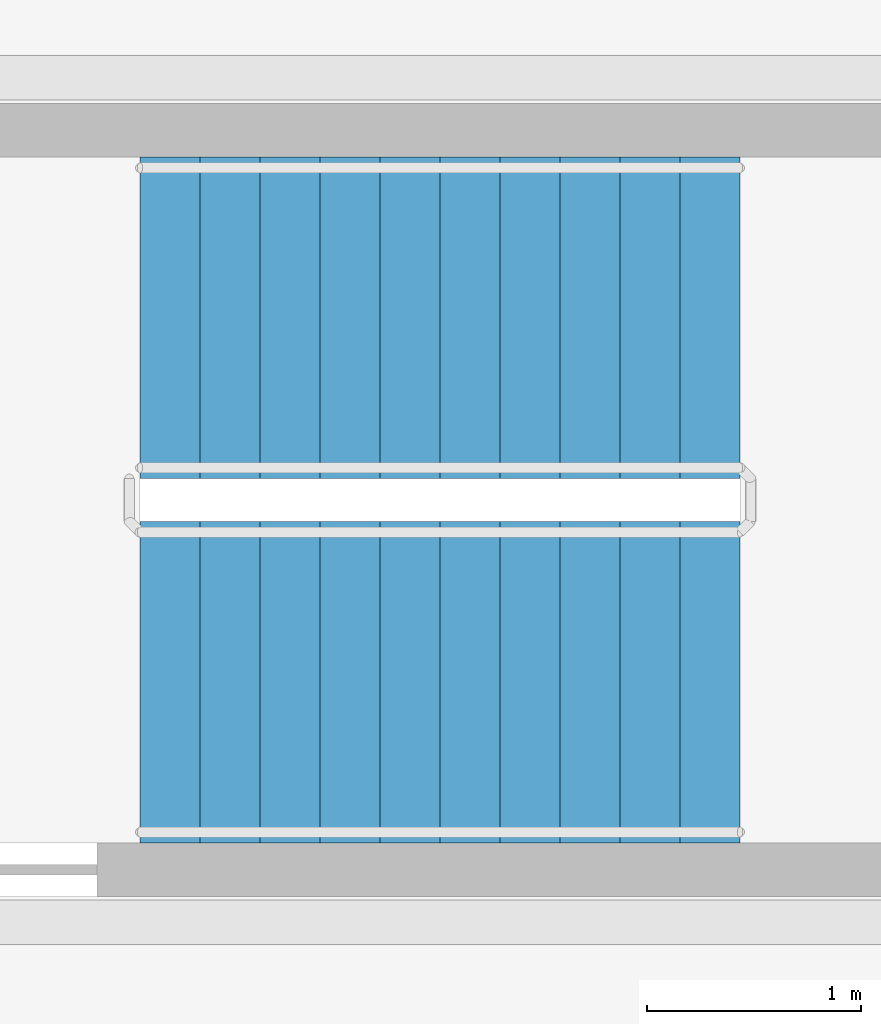
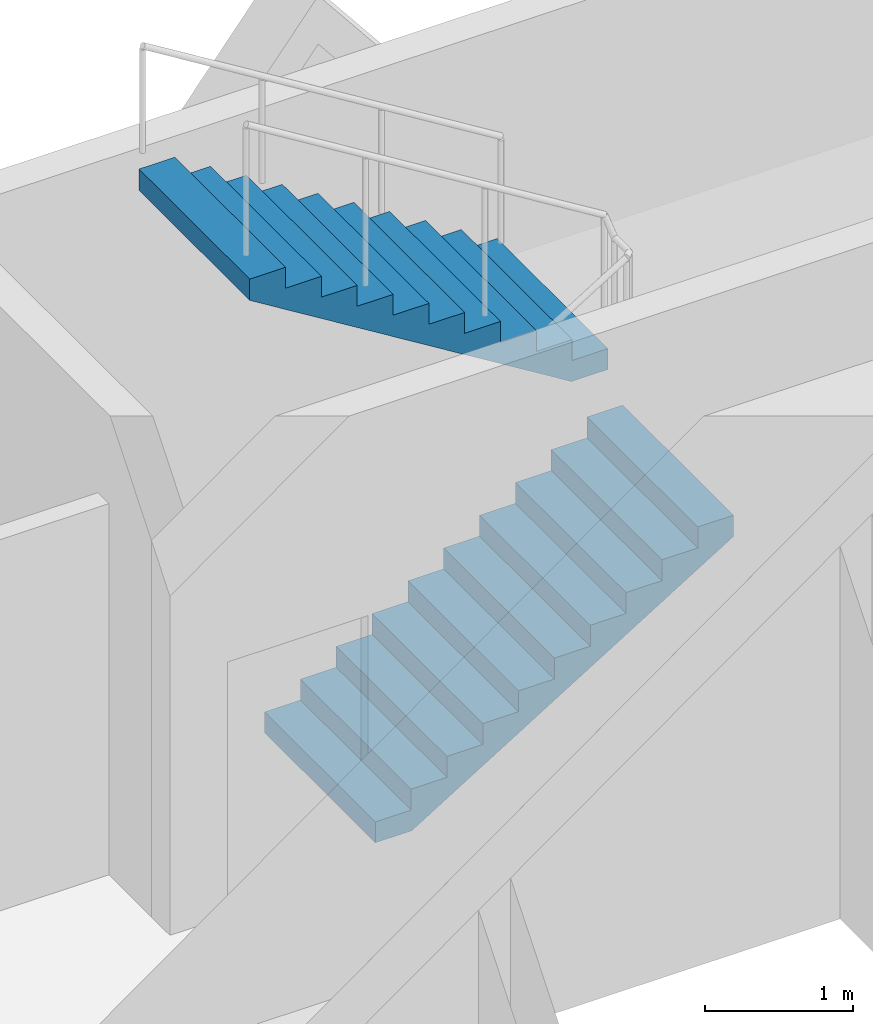
# One storey, part 17 of 19: 2 stair flights, 1 element without a shape of its own.
"""IFC4 building model written with IfcOpenShell, lengths in metres."""

from ifc_helpers import new_model, si_unit, direction, frame, origin, place, context, subcontext, project, spatial, polyline, outline, extrude, material, type_object, element, aggregate, save


model = new_model("IFC4")

# Units and contexts
model_context = context("Model", 3, precision=1e-05, world=origin(), true_north=direction((0.0, 1.0)))
body_context = subcontext(model_context, "Body", "Model", "MODEL_VIEW")
ifc_project = project(units=[si_unit("LENGTHUNIT", "METRE"), si_unit("AREAUNIT", "SQUARE_METRE"), si_unit("VOLUMEUNIT", "CUBIC_METRE"), si_unit("PLANEANGLEUNIT", "RADIAN"), si_unit("MASSUNIT", "GRAM", prefix="KILO")], contexts=[model_context])

# Site, building, storey
site_placement = place(None, origin())
site = spatial("IfcSite", under=ifc_project, at=site_placement, CompositionType="ELEMENT")
building_placement = place(site_placement, origin())
building = spatial("IfcBuilding", under=site, at=building_placement, Name="Tessera Gate Towers", CompositionType="ELEMENT")
storey_placement = place(building_placement, frame((0.0, 0.0, 25.800048828125)))
storey = spatial("IfcBuildingStorey", under=building, at=storey_placement, Name="L05", CompositionType="ELEMENT", Elevation=25.800048828125)

# Stair, stair flights
ifc_material_1 = material(Name="Concrete C40/50", Category="concrete")
stair_type = type_object("IfcStairType", Name="EXIT STAIR ST7 1500", PredefinedType="HALF_TURN_STAIR", material=ifc_material_1)
stair_placement = place(storey_placement, origin())
stair = element("IfcStair", 1, at=stair_placement, inside=storey, type_object=stair_type, Name="L05 North Exit Stair ST7", PredefinedType="HALF_TURN_STAIR")
ifc_material_2 = material(Name="Concrete C40/50", Category="concrete")
stair_flight_type = type_object("IfcStairFlightType", Name="EXIT STAIR FLIGHT ST7 1500", PredefinedType="STRAIGHT", material=ifc_material_2)
stair_flight_1_placement = place(storey_placement, frame((101.75, 51.0, 0.0), z_axis=(0.0, 0.0, 1.0), x_axis=(1.0, 0.0, 0.0)))
stair_flight_1 = element("IfcStairFlight", 2, at=stair_flight_1_placement, type_object=stair_flight_type, Name="ST7 flight 1", NumberOfRisers=11, NumberOfTreads=10, PredefinedType="STRAIGHT", RiserHeight=0.172727273, TreadLength=0.28, context=body_context, shape_type="SweptSolid", body=[
    extrude(outline(polyline([(0.0, 0.0), (0.0, 0.172607421875), (0.280029296875, 0.172607421875), (0.280029296875, 0.345458984375), (0.56005859375, 0.345458984375), (0.56005859375, 0.51806640625), (0.840087890625, 0.51806640625), (0.840087890625, 0.69091796875), (1.1201171875, 0.69091796875), (1.1201171875, 0.863525390625), (1.39990234375, 0.863525390625), (1.39990234375, 1.036376953125), (1.679931640625, 1.036376953125), (1.679931640625, 1.208984375), (1.9599609375, 1.208984375), (1.9599609375, 1.3818359375), (2.239990234375, 1.3818359375), (2.239990234375, 1.554443359375), (2.52001953125, 1.554443359375), (2.52001953125, 1.727294921875), (2.800048828125, 1.727294921875), (2.800048828125, 1.89990234375), (2.800048828125, 1.551025390625), (0.285400390625, 0.0), (0.0, 0.0)])), frame((0.0, 0.75, 0.0), z_axis=(0.0, -1.0, 0.0), x_axis=(1.0, 0.0, 0.0)), (0.0, 0.0, 1.0), 1.5),
])
stair_flight_2_placement = place(storey_placement, frame((104.550048828125, 52.699951171875, 1.89990234375), z_axis=(0.0, 0.0, 1.0), x_axis=(-1.0, 0.0, 0.0)))
stair_flight_2 = element("IfcStairFlight", 3, at=stair_flight_2_placement, type_object=stair_flight_type, Name="ST7 flight 2", NumberOfRisers=11, NumberOfTreads=10, PredefinedType="STRAIGHT", RiserHeight=0.172727273, TreadLength=0.28, context=body_context, shape_type="SweptSolid", body=[
    extrude(outline(polyline([(0.0, 0.0), (0.0, 0.172607421875), (0.280029296875, 0.172607421875), (0.280029296875, 0.345458984375), (0.56005859375, 0.345458984375), (0.56005859375, 0.51806640625), (0.840087890625, 0.51806640625), (0.840087890625, 0.69091796875), (1.1201171875, 0.69091796875), (1.1201171875, 0.863525390625), (1.39990234375, 0.863525390625), (1.39990234375, 1.036376953125), (1.679931640625, 1.036376953125), (1.679931640625, 1.208984375), (1.9599609375, 1.208984375), (1.9599609375, 1.3818359375), (2.239990234375, 1.3818359375), (2.239990234375, 1.554443359375), (2.52001953125, 1.554443359375), (2.52001953125, 1.727294921875), (2.800048828125, 1.727294921875), (2.800048828125, 1.89990234375), (2.800048828125, 1.551025390625), (0.285400390625, 0.0), (0.0, 0.0)])), frame((0.0, 0.75, 0.0), z_axis=(0.0, -1.0, 0.0), x_axis=(1.0, 0.0, 0.0)), (0.0, 0.0, 1.0), 1.5),
])
aggregate(stair, [stair_flight_1, stair_flight_2])

save(model, "model.ifc")
